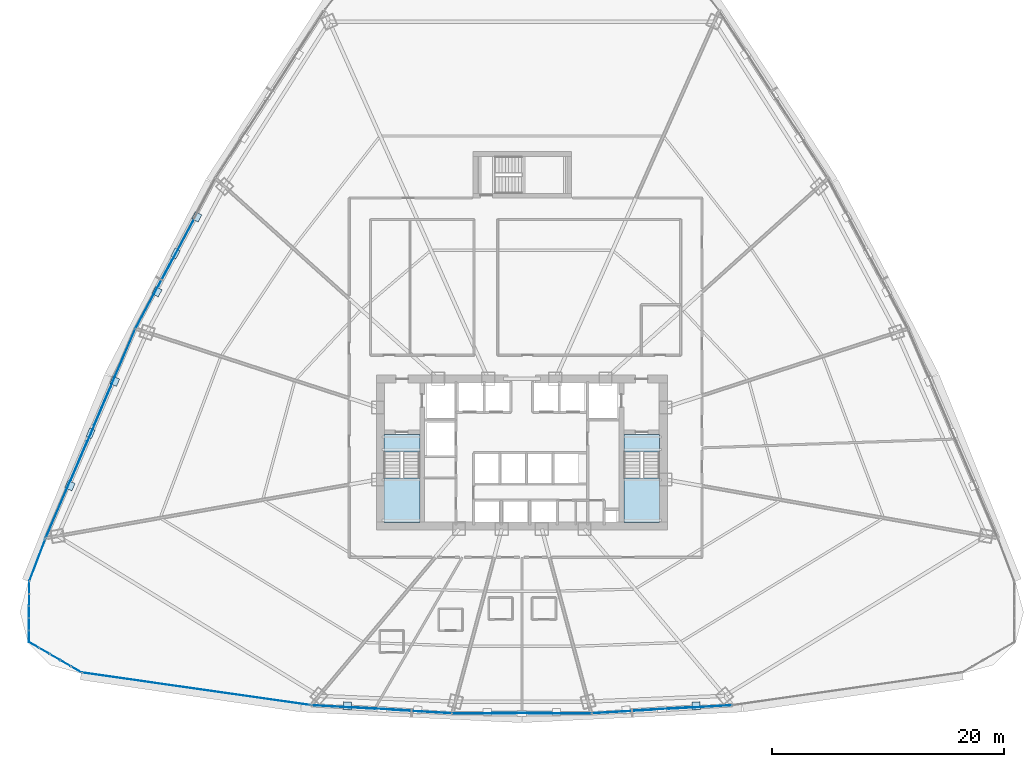
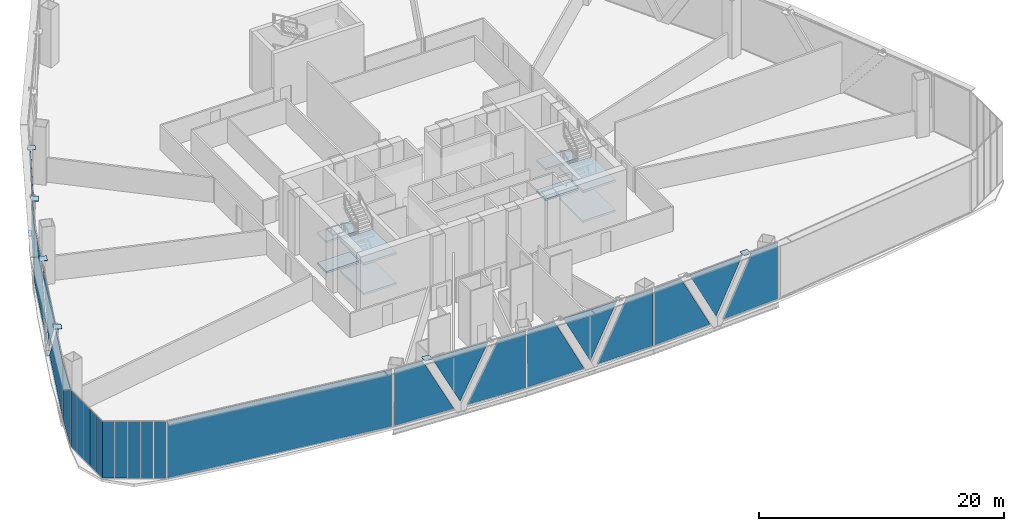
# One storey, part 29 of 41: 34 plates, 8 slabs, 11 elements without a shape of their own.
"""IFC4 building model written with IfcOpenShell, lengths in metres."""

from ifc_helpers import new_model, si_unit, direction, frame, origin, origin_2d, place, context, subcontext, project, spatial, polyline, rectangle, outline, extrude, source, transform, mapped, material, layer, layer_set, type_object, element, aggregate, save


model = new_model("IFC4")

# Units and contexts
model_context = context("Model", 3, precision=1e-05, world=origin(), true_north=direction((0.0, 1.0)))
body_context = subcontext(model_context, "Body", "Model", "MODEL_VIEW")
ifc_project = project(units=[si_unit("LENGTHUNIT", "METRE"), si_unit("AREAUNIT", "SQUARE_METRE"), si_unit("VOLUMEUNIT", "CUBIC_METRE"), si_unit("PLANEANGLEUNIT", "RADIAN"), si_unit("MASSUNIT", "GRAM", prefix="KILO"), si_unit("THERMODYNAMICTEMPERATUREUNIT", "KELVIN"), si_unit("POWERUNIT", "WATT")], contexts=[model_context])

# Site, building, storey
site_placement = place(None, origin())
site = spatial("IfcSite", under=ifc_project, at=site_placement, CompositionType="ELEMENT")
building_placement = place(site_placement, origin())
building = spatial("IfcBuilding", under=site, at=building_placement, Name="Yunzhuo Pagoda Commons", CompositionType="ELEMENT")
storey_placement = place(building_placement, frame((0.0, 0.0, 70.330078125)))
storey = spatial("IfcBuildingStorey", under=building, at=storey_placement, Name="L18", CompositionType="ELEMENT", Elevation=70.330078125)

# Curtain wall, plates
ifc_material_1 = material(Name="Anodized aluminium 6063-T6", Category="aluminium")
ifc_layer_1 = layer(ifc_material_1, 0.1650390625)
ifc_layer_set_1 = layer_set([ifc_layer_1], Name="Anodized aluminium 6063-T6")
curtain_wall_type_1 = type_object("IfcCurtainWallType", Name="CW-LOW Low-Zone Ribbon Curtain Wall", PredefinedType="NOTDEFINED", material=ifc_layer_set_1)
curtain_wall_1_placement = place(storey_placement, origin())
curtain_wall_1 = element("IfcCurtainWall", 1, at=curtain_wall_1_placement, inside=storey, type_object=curtain_wall_type_1, Name="L18 curtain wall CW-L18-F1B2", PredefinedType="NOTDEFINED")
ifc_material_2 = material(Name="Tempered low-e double glazing", Category="glass")
ifc_layer_2 = layer(ifc_material_2, 0.028076171875)
ifc_layer_set_2 = layer_set([ifc_layer_2], Name="Tempered low-e double glazing")
plate_type_1 = type_object("IfcPlateType", Name="CW-LOW-P Low-E Double Glazing 28", PredefinedType="CURTAIN_PANEL", material=ifc_layer_set_2)
plate_1_placement = place(storey_placement, frame((32.610595703125, 11.893310546875, 2.885009765625), z_axis=(-0.057542190557, -0.998343075454, 0.0), x_axis=(0.998343075454, -0.057542190557, 0.0)))
plate_1 = element("IfcPlate", 2, at=plate_1_placement, type_object=plate_type_1, Name="CW panel 1.1 lite 1", PredefinedType="CURTAIN_PANEL", context=body_context, shape_type="SweptSolid", body=[
    extrude(outline(polyline([(-2.724365234375, -2.824951171875), (2.724365234375, -2.824951171875), (-0.13427734375, 2.824951171875), (-2.724365234375, 2.824951171875), (-2.724365234375, -2.824951171875)])), origin(), (0.0, 0.0, 1.0), 0.028076171875),
])
plate_2_placement = place(storey_placement, frame((35.9189453125, 11.73291015625, 3.145751953125), z_axis=(-0.057542190557, -0.998343075454, 0.0), x_axis=(0.998343075454, -0.057542190557, 0.0)))
plate_2 = element("IfcPlate", 3, at=plate_2_placement, type_object=plate_type_1, Name="CW panel 1.1 lite 2", PredefinedType="CURTAIN_PANEL", context=body_context, shape_type="SweptSolid", body=[
    extrude(outline(polyline([(-2.594482421875, 2.564208984375), (0.0, -2.564208984375), (2.594482421875, 2.564208984375), (-2.594482421875, 2.564208984375)])), origin(), (0.0, 0.0, 1.0), 0.028076171875),
])
plate_3_placement = place(storey_placement, frame((39.22412109375, 11.51220703125, 2.885009765625), z_axis=(-0.057542190557, -0.998343075454, 0.0), x_axis=(0.998343075454, -0.057542190557, 0.0)))
plate_3 = element("IfcPlate", 4, at=plate_3_placement, type_object=plate_type_1, Name="CW panel 1.1 lite 3", PredefinedType="CURTAIN_PANEL", context=body_context, shape_type="SweptSolid", body=[
    extrude(outline(polyline([(-2.724365234375, -2.824951171875), (2.724365234375, -2.824951171875), (2.724365234375, 2.824951171875), (0.13427734375, 2.824951171875), (-2.724365234375, -2.824951171875)])), origin(), (0.0, 0.0, 1.0), 0.028076171875),
])
aggregate(curtain_wall_1, [plate_1, plate_2, plate_3])

curtain_wall_2_placement = place(storey_placement, origin())
curtain_wall_2 = element("IfcCurtainWall", 5, at=curtain_wall_2_placement, inside=storey, type_object=curtain_wall_type_1, Name="L18 curtain wall CW-L18-F1B3", PredefinedType="NOTDEFINED")
plate_4_placement = place(storey_placement, frame((44.744873046875, 11.35205078125, 2.885009765625), z_axis=(0.0, -1.0, 0.0), x_axis=(1.0, 0.0, 0.0)))
plate_4 = element("IfcPlate", 6, at=plate_4_placement, type_object=plate_type_1, Name="CW panel 1.1 lite 1", PredefinedType="CURTAIN_PANEL", context=body_context, shape_type="SweptSolid", body=[
    extrude(outline(polyline([(-2.671875, -2.824951171875), (2.671875, -2.824951171875), (-0.135498046875, 2.824951171875), (-2.671875, 2.824951171875), (-2.671875, -2.824951171875)])), origin(), (0.0, 0.0, 1.0), 0.028076171875),
])
plate_5_placement = place(storey_placement, frame((48.0, 11.3818359375, 3.15185546875), z_axis=(0.0, -1.0, 0.0), x_axis=(1.0, 0.0, 0.0)))
plate_5 = element("IfcPlate", 7, at=plate_5_placement, type_object=plate_type_1, Name="CW panel 1.1 lite 2", PredefinedType="CURTAIN_PANEL", context=body_context, shape_type="SweptSolid", body=[
    extrude(outline(polyline([(-2.5419921875, 2.55810546875), (0.0, -2.55810546875), (2.5419921875, 2.55810546875), (-2.5419921875, 2.55810546875)])), origin(), (0.0, 0.0, 1.0), 0.028076171875),
])
plate_6_placement = place(storey_placement, frame((51.255126953125, 11.35205078125, 2.885009765625), z_axis=(0.0, -1.0, 0.0), x_axis=(1.0, 0.0, 0.0)))
plate_6 = element("IfcPlate", 8, at=plate_6_placement, type_object=plate_type_1, Name="CW panel 1.1 lite 3", PredefinedType="CURTAIN_PANEL", context=body_context, shape_type="SweptSolid", body=[
    extrude(outline(polyline([(-2.671875, -2.824951171875), (2.671875, -2.824951171875), (2.671875, 2.824951171875), (0.135498046875, 2.824951171875), (-2.671875, -2.824951171875)])), origin(), (0.0, 0.0, 1.0), 0.028076171875),
])
aggregate(curtain_wall_2, [plate_4, plate_5, plate_6])

curtain_wall_3_placement = place(storey_placement, origin())
curtain_wall_3 = element("IfcCurtainWall", 9, at=curtain_wall_3_placement, inside=storey, type_object=curtain_wall_type_1, Name="L18 curtain wall CW-L18-F1B4", PredefinedType="NOTDEFINED")
plate_7_placement = place(storey_placement, frame((56.77587890625, 11.51220703125, 2.885009765625), z_axis=(0.057542190557, -0.998343075454, 0.0), x_axis=(0.998343075454, 0.057542190557, 0.0)))
plate_7 = element("IfcPlate", 10, at=plate_7_placement, type_object=plate_type_1, Name="CW panel 1.1 lite 1", PredefinedType="CURTAIN_PANEL", context=body_context, shape_type="SweptSolid", body=[
    extrude(outline(polyline([(-2.724365234375, -2.824951171875), (2.724365234375, -2.824951171875), (-0.13427734375, 2.824951171875), (-2.724365234375, 2.824951171875), (-2.724365234375, -2.824951171875)])), origin(), (0.0, 0.0, 1.0), 0.028076171875),
])
plate_8_placement = place(storey_placement, frame((60.080810546875, 11.732666015625, 3.145751953125), z_axis=(0.057542190557, -0.998343075454, 0.0), x_axis=(0.998343075454, 0.057542190557, 0.0)))
plate_8 = element("IfcPlate", 11, at=plate_8_placement, type_object=plate_type_1, Name="CW panel 1.1 lite 2", PredefinedType="CURTAIN_PANEL", context=body_context, shape_type="SweptSolid", body=[
    extrude(outline(polyline([(-2.594482421875, 2.564208984375), (0.0, -2.564208984375), (2.594482421875, 2.564208984375), (-2.594482421875, 2.564208984375)])), origin(), (0.0, 0.0, 1.0), 0.028076171875),
])
plate_9_placement = place(storey_placement, frame((63.389404296875, 11.893310546875, 2.885009765625), z_axis=(0.057542190557, -0.998343075454, 0.0), x_axis=(0.998343075454, 0.057542190557, 0.0)))
plate_9 = element("IfcPlate", 12, at=plate_9_placement, type_object=plate_type_1, Name="CW panel 1.1 lite 3", PredefinedType="CURTAIN_PANEL", context=body_context, shape_type="SweptSolid", body=[
    extrude(outline(polyline([(-2.724365234375, -2.824951171875), (2.724365234375, -2.824951171875), (2.724365234375, 2.824951171875), (0.134033203125, 2.824951171875), (-2.724365234375, -2.824951171875)])), origin(), (0.0, 0.0, 1.0), 0.028076171875),
])
aggregate(curtain_wall_3, [plate_7, plate_8, plate_9])

curtain_wall_4_placement = place(storey_placement, origin())
curtain_wall_4 = element("IfcCurtainWall", 13, at=curtain_wall_4_placement, inside=storey, type_object=curtain_wall_type_1, Name="L18 curtain wall CW-L18-F3B3", PredefinedType="NOTDEFINED")
plate_10_placement = place(storey_placement, frame((18.157470703125, 50.9931640625, 3.09033203125), z_axis=(-0.882636758547, 0.470055690808, 0.0), x_axis=(-0.470055690808, -0.882636758547, 0.0)))
plate_10 = element("IfcPlate", 14, at=plate_10_placement, type_object=plate_type_1, Name="CW panel 1.1 lite 2", PredefinedType="CURTAIN_PANEL", context=body_context, shape_type="SweptSolid", body=[
    extrude(outline(polyline([(-3.19091796875, 2.61962890625), (0.0, -2.61962890625), (3.19091796875, 2.61962890625), (-3.19091796875, 2.61962890625)])), origin(), (0.0, 0.0, 1.0), 0.028076171875),
])
plate_11_placement = place(storey_placement, frame((16.26953125, 47.51220703125, 2.885009765625), z_axis=(-0.882636758547, 0.470055690808, 0.0), x_axis=(-0.470055690808, -0.882636758547, 0.0)))
plate_11 = element("IfcPlate", 15, at=plate_11_placement, type_object=plate_type_1, Name="CW panel 1.1 lite 3", PredefinedType="CURTAIN_PANEL", context=body_context, shape_type="SweptSolid", body=[
    extrude(outline(polyline([(-3.320068359375, -2.824951171875), (3.320068359375, -2.824951171875), (3.320068359375, 2.824951171875), (0.120849609375, 2.824951171875), (-3.320068359375, -2.824951171875)])), origin(), (0.0, 0.0, 1.0), 0.028076171875),
])
aggregate(curtain_wall_4, [plate_10, plate_11])

curtain_wall_5_placement = place(storey_placement, origin())
curtain_wall_5 = element("IfcCurtainWall", 16, at=curtain_wall_5_placement, inside=storey, type_object=curtain_wall_type_1, Name="L18 curtain wall CW-L18-F3B4", PredefinedType="NOTDEFINED")
plate_12_placement = place(storey_placement, frame((12.877197265625, 40.32177734375, 2.885009765625), z_axis=(-0.919121093161, 0.39397514656, 0.0), x_axis=(-0.39397514656, -0.919121093161, 0.0)))
plate_12 = element("IfcPlate", 17, at=plate_12_placement, type_object=plate_type_1, Name="CW panel 1.1 lite 1", PredefinedType="CURTAIN_PANEL", context=body_context, shape_type="SweptSolid", body=[
    extrude(outline(polyline([(-4.50830078125, -2.824951171875), (4.50830078125, -2.824951171875), (-0.098388671875, 2.824951171875), (-4.50830078125, 2.824951171875), (-4.50830078125, -2.824951171875)])), origin(), (0.0, 0.0, 1.0), 0.028076171875),
])
plate_13_placement = place(storey_placement, frame((10.83251953125, 35.47607421875, 3.025634765625), z_axis=(-0.919121093161, 0.39397514656, 0.0), x_axis=(-0.39397514656, -0.919121093161, 0.0)))
plate_13 = element("IfcPlate", 18, at=plate_13_placement, type_object=plate_type_1, Name="CW panel 1.1 lite 2", PredefinedType="CURTAIN_PANEL", context=body_context, shape_type="SweptSolid", body=[
    extrude(outline(polyline([(-4.377197265625, 2.684326171875), (0.0, -2.684326171875), (4.377197265625, 2.684326171875), (-4.377197265625, 2.684326171875)])), origin(), (0.0, 0.0, 1.0), 0.028076171875),
])
plate_14_placement = place(storey_placement, frame((8.73291015625, 30.65380859375, 2.885009765625), z_axis=(-0.919121093161, 0.39397514656, 0.0), x_axis=(-0.39397514656, -0.919121093161, 0.0)))
plate_14 = element("IfcPlate", 19, at=plate_14_placement, type_object=plate_type_1, Name="CW panel 1.1 lite 3", PredefinedType="CURTAIN_PANEL", context=body_context, shape_type="SweptSolid", body=[
    extrude(outline(polyline([(-4.50830078125, -2.824951171875), (4.50830078125, -2.824951171875), (4.50830078125, 2.824951171875), (0.09814453125, 2.824951171875), (-4.50830078125, -2.824951171875)])), origin(), (0.0, 0.0, 1.0), 0.028076171875),
])
aggregate(curtain_wall_5, [plate_12, plate_13, plate_14])

# Stair, slabs
ifc_material_3 = material(Name="Concrete C40", Category="concrete")
stair_type_1 = type_object("IfcStairType", Name="ST-C1 Core Smokeproof Stair ST1", PredefinedType="HALF_TURN_STAIR", material=ifc_material_3)
stair_1_placement = place(storey_placement, origin())
stair_1 = element("IfcStair", 20, at=stair_1_placement, inside=storey, type_object=stair_type_1, Name="L18 Core smokeproof stair ST1", PredefinedType="HALF_TURN_STAIR")
ifc_layer_3 = layer(ifc_material_3, 0.199951171875)
ifc_layer_set_3 = layer_set([ifc_layer_3], Name="Concrete C40")
slab_type_1 = type_object("IfcSlabType", Name="SL-LND1 Stair Landing Slab 200", PredefinedType="LANDING", material=ifc_layer_set_3)
slab_1_placement = place(storey_placement, frame((0.0, 0.0, 1.3125)))
slab_1 = element("IfcSlab", 21, at=slab_1_placement, type_object=slab_type_1, Name="ST1 landing 1", PredefinedType="LANDING", context=body_context, shape_type="SweptSolid", body=[
    extrude(outline(polyline([(36.10009765625, 31.659912109375), (36.10009765625, 27.800048828125), (39.199951171875, 27.800048828125), (39.199951171875, 31.659912109375), (36.10009765625, 31.659912109375)])), origin(), (0.0, 0.0, 1.0), 0.199951171875),
])
slab_2_placement = place(storey_placement, frame((0.0, 0.0, 2.824951171875)))
slab_2 = element("IfcSlab", 22, at=slab_2_placement, type_object=slab_type_1, Name="ST1 landing 2", PredefinedType="LANDING", context=body_context, shape_type="SweptSolid", body=[
    extrude(outline(polyline([(36.10009765625, 35.39990234375), (36.10009765625, 33.89990234375), (39.199951171875, 33.89990234375), (39.199951171875, 35.39990234375), (36.10009765625, 35.39990234375)])), origin(), (0.0, 0.0, 1.0), 0.199951171875),
])
slab_3_placement = place(storey_placement, frame((0.0, 0.0, 4.33740234375)))
slab_3 = element("IfcSlab", 23, at=slab_3_placement, type_object=slab_type_1, Name="ST1 landing 3", PredefinedType="LANDING", context=body_context, shape_type="SweptSolid", body=[
    extrude(outline(polyline([(36.10009765625, 31.659912109375), (36.10009765625, 27.800048828125), (39.199951171875, 27.800048828125), (39.199951171875, 31.659912109375), (36.10009765625, 31.659912109375)])), origin(), (0.0, 0.0, 1.0), 0.199951171875),
])
slab_4_placement = place(storey_placement, frame((0.0, 0.0, -0.2001953125)))
slab_4 = element("IfcSlab", 24, at=slab_4_placement, type_object=slab_type_1, Name="ST1 floor landing L18", PredefinedType="LANDING", context=body_context, shape_type="SweptSolid", body=[
    extrude(outline(polyline([(36.10009765625, 35.39990234375), (36.10009765625, 33.89990234375), (39.199951171875, 33.89990234375), (39.199951171875, 35.39990234375), (36.10009765625, 35.39990234375)])), origin(), (0.0, 0.0, 1.0), 0.2001953125),
])
aggregate(stair_1, [slab_1, slab_2, slab_3, slab_4])

stair_type_2 = type_object("IfcStairType", Name="ST-C2 Core Smokeproof Stair ST2", PredefinedType="HALF_TURN_STAIR", material=ifc_material_3)
stair_2_placement = place(storey_placement, origin())
stair_2 = element("IfcStair", 25, at=stair_2_placement, inside=storey, type_object=stair_type_2, Name="L18 Core smokeproof stair ST2", PredefinedType="HALF_TURN_STAIR")
ifc_layer_4 = layer(ifc_material_3, 0.201904296875)
ifc_layer_set_4 = layer_set([ifc_layer_4], Name="Concrete C40")
slab_type_2 = type_object("IfcSlabType", Name="SL-LND2 Stair Landing Slab 202", PredefinedType="LANDING", material=ifc_layer_set_4)
slab_5_placement = place(storey_placement, frame((0.0, 0.0, 1.3125)))
slab_5 = element("IfcSlab", 26, at=slab_5_placement, type_object=slab_type_2, Name="ST2 landing 1", PredefinedType="LANDING", context=body_context, shape_type="SweptSolid", body=[
    extrude(outline(polyline([(56.800048828125, 31.659912109375), (56.800048828125, 27.800048828125), (59.89990234375, 27.800048828125), (59.89990234375, 31.659912109375), (56.800048828125, 31.659912109375)])), origin(), (0.0, 0.0, 1.0), 0.199951171875),
])
slab_6_placement = place(storey_placement, frame((0.0, 0.0, 2.824951171875)))
slab_6 = element("IfcSlab", 27, at=slab_6_placement, type_object=slab_type_2, Name="ST2 landing 2", PredefinedType="LANDING", context=body_context, shape_type="SweptSolid", body=[
    extrude(outline(polyline([(56.800048828125, 35.39990234375), (56.800048828125, 33.89990234375), (59.89990234375, 33.89990234375), (59.89990234375, 35.39990234375), (56.800048828125, 35.39990234375)])), origin(), (0.0, 0.0, 1.0), 0.199951171875),
])
slab_7_placement = place(storey_placement, frame((0.0, 0.0, 4.33740234375)))
slab_7 = element("IfcSlab", 28, at=slab_7_placement, type_object=slab_type_2, Name="ST2 landing 3", PredefinedType="LANDING", context=body_context, shape_type="SweptSolid", body=[
    extrude(outline(polyline([(56.800048828125, 31.659912109375), (56.800048828125, 27.800048828125), (59.89990234375, 27.800048828125), (59.89990234375, 31.659912109375), (56.800048828125, 31.659912109375)])), origin(), (0.0, 0.0, 1.0), 0.199951171875),
])
slab_8_placement = place(storey_placement, frame((0.0, 0.0, -0.2001953125)))
slab_8 = element("IfcSlab", 29, at=slab_8_placement, type_object=slab_type_2, Name="ST2 floor landing L18", PredefinedType="LANDING", context=body_context, shape_type="SweptSolid", body=[
    extrude(outline(polyline([(56.800048828125, 35.39990234375), (56.800048828125, 33.89990234375), (59.89990234375, 33.89990234375), (59.89990234375, 35.39990234375), (56.800048828125, 35.39990234375)])), origin(), (0.0, 0.0, 1.0), 0.2001953125),
])
aggregate(stair_2, [slab_5, slab_6, slab_7, slab_8])

# Plates
ifc_material_4 = material(Name="Structural steel Q355B", Category="steel")
ifc_layer_5 = layer(ifc_material_4, 0.028076171875)
ifc_layer_set_5 = layer_set([ifc_layer_5], Name="Structural steel Q355B")
plate_type_2 = type_object("IfcPlateType", Name="SP-ND1 Lattice Node Cap Plate 800x500x28", PredefinedType="USERDEFINED", material=ifc_layer_set_5)
shared_shape_1 = source(origin(), body_context, "Body", "SweptSolid", [
    extrude(rectangle(XDim=0.800048828125, YDim=0.5, at=origin_2d()), origin(), (0.0, 0.0, 1.0), 0.028076171875),
])
for number, where, z_axis, x_axis, name in (
    (30, (18.118408203125, 51.013916015625, -0.27392578125), (0.0, 0.0, 1.0), (-0.47005705251, -0.88263603336, 0.0), "L18 diamond node plate F3.2A"),
    (31, (10.7919921875, 35.493408203125, -0.27392578125), (0.0, 0.0, 1.0), (-0.393973993227, -0.91912158753, 0.0), "L18 diamond node plate F3.3A"),
):
    element("IfcPlate", number, at=place(storey_placement, frame(where, z_axis=z_axis, x_axis=x_axis)), inside=storey, type_object=plate_type_2, Name=name, ObjectType="STIFFENER_PLATE", PredefinedType="USERDEFINED", context=body_context, shape_type="MappedRepresentation", body=[
        mapped(shared_shape_1, transform((0.0, 0.0, 0.0), scale=1.0)),
    ])
shared_shape_2 = source(origin(), body_context, "Body", "SweptSolid", [
    extrude(rectangle(XDim=0.699951171875, YDim=0.661376953125, at=origin_2d()), origin(), (0.0, 0.0, 1.0), 0.035888671875),
])
for number, where, z_axis, x_axis, name in (
    (32, (32.95947265625, 11.992431640625, 5.73193359375), (0.0, 0.0, 1.0), (0.998342821144, -0.057546602599, 0.0), "L18 setback lattice tie plate F1.1L"),
    (33, (63.04052734375, 11.992431640625, 5.73193359375), (0.0, 0.0, 1.0), (0.998342821144, 0.057546602599, 0.0), "L18 setback lattice tie plate F1.3R"),
):
    element("IfcPlate", number, at=place(storey_placement, frame(where, z_axis=z_axis, x_axis=x_axis)), inside=storey, type_object=plate_type_2, Name=name, ObjectType="STIFFENER_PLATE", PredefinedType="USERDEFINED", context=body_context, shape_type="MappedRepresentation", body=[
        mapped(shared_shape_2, transform((0.0, 0.0, 0.0), scale=1.0)),
    ])
shared_shape_3 = source(origin(), body_context, "Body", "SweptSolid", [
    extrude(rectangle(XDim=0.699951171875, YDim=0.672119140625, at=origin_2d()), origin(), (0.0, 0.0, 1.0), 0.035888671875),
])
plate_15_placement = place(storey_placement, frame((9.015869140625, 30.986328125, 5.73193359375), z_axis=(0.0, 0.0, 1.0), x_axis=(-0.393973993227, -0.91912158753, 0.0)))
element("IfcPlate", 34, at=plate_15_placement, inside=storey, type_object=plate_type_2, Name="L18 setback lattice tie plate F3.3R", ObjectType="STIFFENER_PLATE", PredefinedType="USERDEFINED", context=body_context, shape_type="MappedRepresentation", body=[
    mapped(shared_shape_3, transform((0.0, 0.0, 0.0), scale=1.0)),
])
shared_shape_4 = source(origin(), body_context, "Body", "SweptSolid", [
    extrude(rectangle(XDim=0.699951171875, YDim=0.627685546875, at=origin_2d()), origin(), (0.0, 0.0, 1.0), 0.035888671875),
])
plate_16_placement = place(storey_placement, frame((16.519287109375, 47.716064453125, 5.73193359375), z_axis=(0.0, 0.0, 1.0), x_axis=(-0.47005705251, -0.88263603336, 0.0)))
element("IfcPlate", 35, at=plate_16_placement, inside=storey, type_object=plate_type_2, Name="L18 setback lattice tie plate F3.2R", ObjectType="STIFFENER_PLATE", PredefinedType="USERDEFINED", context=body_context, shape_type="MappedRepresentation", body=[
    mapped(shared_shape_4, transform((0.0, 0.0, 0.0), scale=1.0)),
])
shared_shape_5 = source(origin(), body_context, "Body", "SweptSolid", [
    extrude(rectangle(XDim=0.699951171875, YDim=0.627197265625, at=origin_2d()), origin(), (0.0, 0.0, 1.0), 0.035888671875),
])
plate_17_placement = place(storey_placement, frame((19.956787109375, 54.173583984375, 5.73193359375), z_axis=(0.0, 0.0, 1.0), x_axis=(-0.47005705251, -0.88263603336, 0.0)))
element("IfcPlate", 36, at=plate_17_placement, inside=storey, type_object=plate_type_2, Name="L18 setback lattice tie plate F3.2L", ObjectType="STIFFENER_PLATE", PredefinedType="USERDEFINED", context=body_context, shape_type="MappedRepresentation", body=[
    mapped(shared_shape_5, transform((0.0, 0.0, 0.0), scale=1.0)),
])
shared_shape_6 = source(origin(), body_context, "Body", "SweptSolid", [
    extrude(rectangle(XDim=0.699951171875, YDim=0.640869140625, at=origin_2d()), origin(), (0.0, 0.0, 1.0), 0.035888671875),
])
plate_18_placement = place(storey_placement, frame((12.872314453125, 39.98681640625, 5.73193359375), z_axis=(0.0, 0.0, 1.0), x_axis=(-0.393973993227, -0.91912158753, 0.0)))
element("IfcPlate", 37, at=plate_18_placement, inside=storey, type_object=plate_type_2, Name="L18 setback lattice tie plate F3.3L", ObjectType="STIFFENER_PLATE", PredefinedType="USERDEFINED", context=body_context, shape_type="MappedRepresentation", body=[
    mapped(shared_shape_6, transform((0.0, 0.0, 0.0), scale=1.0)),
])

# Curtain wall, plate
curtain_wall_6_placement = place(storey_placement, origin())
curtain_wall_6 = element("IfcCurtainWall", 38, at=curtain_wall_6_placement, inside=storey, type_object=curtain_wall_type_1, Name="L18 curtain wall CW-L18-F1B1", PredefinedType="NOTDEFINED")
shared_shape_7 = source(origin(), body_context, "Body", "SweptSolid", [
    extrude(rectangle(XDim=19.814697265625, YDim=0.028076171875, at=origin_2d()), origin(), (0.0, 0.0, 1.0), 5.64990234375),
])
plate_19_placement = place(storey_placement, frame((19.87841796875, 13.4580078125, 0.06005859375), z_axis=(0.0, 0.0, 1.0), x_axis=(0.989989664719, -0.141139872999, 0.0)))
plate_19 = element("IfcPlate", 39, at=plate_19_placement, type_object=plate_type_1, Name="CW panel 1.1", PredefinedType="CURTAIN_PANEL", context=body_context, shape_type="MappedRepresentation", body=[
    mapped(shared_shape_7, transform((0.0, 0.0, 0.0), scale=1.0)),
])
aggregate(curtain_wall_6, [plate_19])

curtain_wall_7_placement = place(storey_placement, origin())
curtain_wall_7 = element("IfcCurtainWall", 40, at=curtain_wall_7_placement, inside=storey, type_object=curtain_wall_type_1, Name="L18 curtain wall CW-L18-F3B5", PredefinedType="NOTDEFINED")
shared_shape_8 = source(origin(), body_context, "Body", "SweptSolid", [
    extrude(rectangle(XDim=3.80126953125, YDim=0.028076171875, at=origin_2d()), origin(), (0.0, 0.0, 1.0), 5.64990234375),
])
plate_20_placement = place(storey_placement, frame((6.197265625, 24.547119140625, 0.06005859375), z_axis=(0.0, 0.0, 1.0), x_axis=(-0.353291245367, -0.9355133863, 0.0)))
plate_20 = element("IfcPlate", 41, at=plate_20_placement, type_object=plate_type_1, Name="CW panel 1.1", PredefinedType="CURTAIN_PANEL", context=body_context, shape_type="MappedRepresentation", body=[
    mapped(shared_shape_8, transform((0.0, 0.0, 0.0), scale=1.0)),
])
aggregate(curtain_wall_7, [plate_20])

# Curtain wall, plates
ifc_layer_6 = layer(ifc_material_1, 0.1298828125)
ifc_layer_set_6 = layer_set([ifc_layer_6], Name="Anodized aluminium 6063-T6")
curtain_wall_type_2 = type_object("IfcCurtainWallType", Name="CW-VTX Rounded Corner Curtain Wall", PredefinedType="NOTDEFINED", material=ifc_layer_set_6)
curtain_wall_8_placement = place(storey_placement, origin())
curtain_wall_8 = element("IfcCurtainWall", 42, at=curtain_wall_8_placement, inside=storey, type_object=curtain_wall_type_2, Name="L18 curtain wall CW-L18-VTX1S1", PredefinedType="NOTDEFINED")
ifc_layer_7 = layer(ifc_material_2, 0.02587890625)
ifc_layer_set_7 = layer_set([ifc_layer_7], Name="Tempered low-e double glazing")
plate_type_3 = type_object("IfcPlateType", Name="CW-VTX-P Low-E Double Glazing 26", PredefinedType="CURTAIN_PANEL", material=ifc_layer_set_7)
shared_shape_9 = source(origin(), body_context, "Body", "SweptSolid", [
    extrude(rectangle(XDim=0.9716796875, YDim=0.028076171875, at=origin_2d()), origin(), (0.0, 0.0, 1.0), 5.659912109375),
])
plate_21_placement = place(storey_placement, frame((5.5009765625, 22.167236328125, 0.05517578125), z_axis=(0.0, 0.0, 1.0), x_axis=(-0.003585566294, -0.999993571837, 0.0)))
plate_21 = element("IfcPlate", 43, at=plate_21_placement, type_object=plate_type_3, Name="CW panel 1.1", PredefinedType="CURTAIN_PANEL", context=body_context, shape_type="MappedRepresentation", body=[
    mapped(shared_shape_9, transform((0.0, 0.0, 0.0), scale=1.0)),
])
plate_22_placement = place(storey_placement, frame((5.48583984375, 17.97802734375, 0.05517578125), z_axis=(0.0, 0.0, 1.0), x_axis=(-0.003585566294, -0.999993571837, 0.0)))
plate_22 = element("IfcPlate", 44, at=plate_22_placement, type_object=plate_type_3, Name="CW panel 5.1", PredefinedType="CURTAIN_PANEL", context=body_context, shape_type="MappedRepresentation", body=[
    mapped(shared_shape_9, transform((0.0, 0.0, 0.0), scale=1.0)),
])

curtain_wall_9_placement = place(storey_placement, origin())
curtain_wall_9 = element("IfcCurtainWall", 45, at=curtain_wall_9_placement, inside=storey, type_object=curtain_wall_type_2, Name="L18 curtain wall CW-L18-VTX1S2", PredefinedType="NOTDEFINED")
plate_23_placement = place(storey_placement, frame((5.912109375, 17.235595703125, 0.05517578125), z_axis=(0.0, 0.0, 1.0), x_axis=(0.865424986596, -0.501038514064, 0.0)))
plate_23 = element("IfcPlate", 46, at=plate_23_placement, type_object=plate_type_3, Name="CW panel 1.1", PredefinedType="CURTAIN_PANEL", context=body_context, shape_type="MappedRepresentation", body=[
    mapped(shared_shape_9, transform((0.0, 0.0, 0.0), scale=1.0)),
])
plate_24_placement = place(storey_placement, frame((9.537841796875, 15.136474609375, 0.05517578125), z_axis=(0.0, 0.0, 1.0), x_axis=(0.865424986596, -0.501038514064, 0.0)))
plate_24 = element("IfcPlate", 47, at=plate_24_placement, type_object=plate_type_3, Name="CW panel 5.1", PredefinedType="CURTAIN_PANEL", context=body_context, shape_type="MappedRepresentation", body=[
    mapped(shared_shape_9, transform((0.0, 0.0, 0.0), scale=1.0)),
])

# Plate
shared_shape_10 = source(origin(), body_context, "Body", "SweptSolid", [
    extrude(rectangle(XDim=0.999267578125, YDim=0.028076171875, at=origin_2d()), origin(), (0.0, 0.0, 1.0), 5.659912109375),
])
plate_25_placement = place(storey_placement, frame((5.497314453125, 21.126953125, 0.05517578125), z_axis=(0.0, 0.0, 1.0), x_axis=(-0.003585566294, -0.999993571837, 0.0)))
plate_25 = element("IfcPlate", 48, at=plate_25_placement, type_object=plate_type_3, Name="CW panel 2.1", PredefinedType="CURTAIN_PANEL", context=body_context, shape_type="MappedRepresentation", body=[
    mapped(shared_shape_10, transform((0.0, 0.0, 0.0), scale=1.0)),
])

plate_26_placement = place(storey_placement, frame((5.493408203125, 20.07275390625, 0.05517578125), z_axis=(0.0, 0.0, 1.0), x_axis=(-0.003585566294, -0.999993571837, 0.0)))
plate_26 = element("IfcPlate", 49, at=plate_26_placement, type_object=plate_type_3, Name="CW panel 3.1", PredefinedType="CURTAIN_PANEL", context=body_context, shape_type="MappedRepresentation", body=[
    mapped(shared_shape_10, transform((0.0, 0.0, 0.0), scale=1.0)),
])

plate_27_placement = place(storey_placement, frame((5.48974609375, 19.018310546875, 0.05517578125), z_axis=(0.0, 0.0, 1.0), x_axis=(-0.003585566294, -0.999993571837, 0.0)))
plate_27 = element("IfcPlate", 50, at=plate_27_placement, type_object=plate_type_3, Name="CW panel 4.1", PredefinedType="CURTAIN_PANEL", context=body_context, shape_type="MappedRepresentation", body=[
    mapped(shared_shape_10, transform((0.0, 0.0, 0.0), scale=1.0)),
])

aggregate(curtain_wall_8, [plate_21, plate_25, plate_26, plate_27, plate_22])

plate_28_placement = place(storey_placement, frame((6.8125, 16.71435546875, 0.05517578125), z_axis=(0.0, 0.0, 1.0), x_axis=(0.865424986596, -0.501038514064, 0.0)))
plate_28 = element("IfcPlate", 51, at=plate_28_placement, type_object=plate_type_3, Name="CW panel 2.1", PredefinedType="CURTAIN_PANEL", context=body_context, shape_type="MappedRepresentation", body=[
    mapped(shared_shape_10, transform((0.0, 0.0, 0.0), scale=1.0)),
])

plate_29_placement = place(storey_placement, frame((7.724853515625, 16.18603515625, 0.05517578125), z_axis=(0.0, 0.0, 1.0), x_axis=(0.865424986596, -0.501038514064, 0.0)))
plate_29 = element("IfcPlate", 52, at=plate_29_placement, type_object=plate_type_3, Name="CW panel 3.1", PredefinedType="CURTAIN_PANEL", context=body_context, shape_type="MappedRepresentation", body=[
    mapped(shared_shape_10, transform((0.0, 0.0, 0.0), scale=1.0)),
])

plate_30_placement = place(storey_placement, frame((8.63720703125, 15.657958984375, 0.05517578125), z_axis=(0.0, 0.0, 1.0), x_axis=(0.865424986596, -0.501038514064, 0.0)))
plate_30 = element("IfcPlate", 53, at=plate_30_placement, type_object=plate_type_3, Name="CW panel 4.1", PredefinedType="CURTAIN_PANEL", context=body_context, shape_type="MappedRepresentation", body=[
    mapped(shared_shape_10, transform((0.0, 0.0, 0.0), scale=1.0)),
])

aggregate(curtain_wall_9, [plate_23, plate_28, plate_29, plate_30, plate_24])

save(model, "model.ifc")
